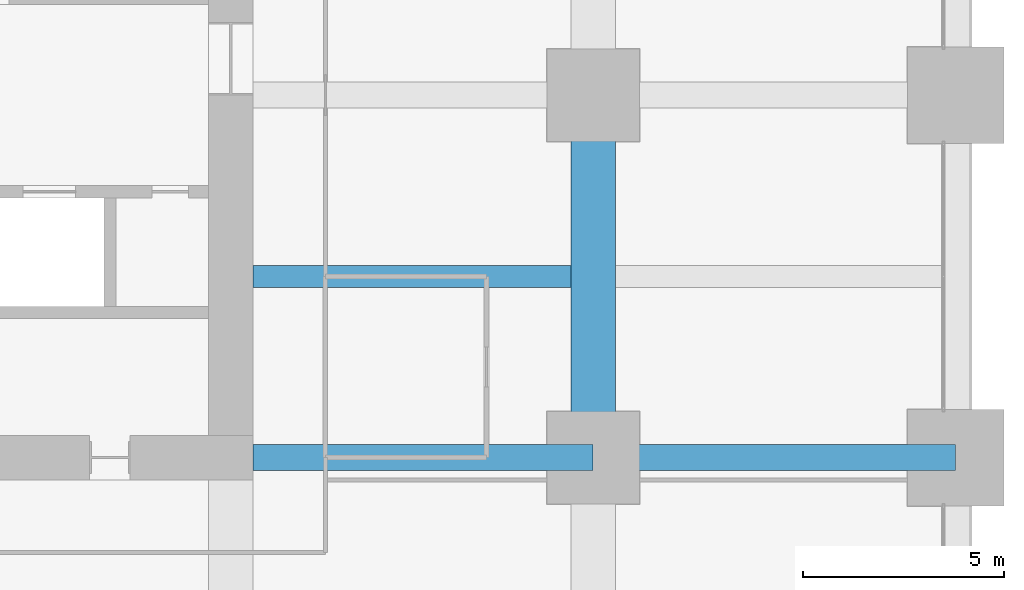
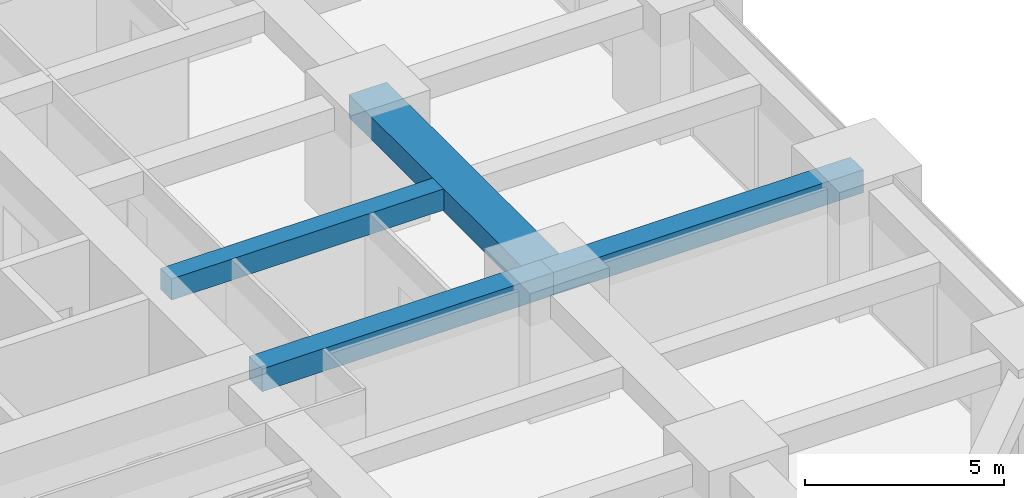
# One storey, part 19 of 45: 4 beams.
"""IFC4 building model written with IfcOpenShell, lengths in metres."""

from ifc_helpers import new_model, si_unit, direction, frame, origin, origin_2d, place, context, subcontext, project, spatial, rectangle, extrude, material, material_profile, profile_set, type_object, element, save


model = new_model("IFC4")

# Units and contexts
model_context = context("Model", 3, precision=1e-05, world=origin(), true_north=direction((0.0, 1.0)))
body_context = subcontext(model_context, "Body", "Model", "MODEL_VIEW")
ifc_project = project(units=[si_unit("LENGTHUNIT", "METRE"), si_unit("AREAUNIT", "SQUARE_METRE"), si_unit("VOLUMEUNIT", "CUBIC_METRE"), si_unit("PLANEANGLEUNIT", "RADIAN"), si_unit("MASSUNIT", "GRAM", prefix="KILO")], contexts=[model_context])

# Site, building, storey
site_placement = place(None, origin())
site = spatial("IfcSite", under=ifc_project, at=site_placement, CompositionType="ELEMENT")
building_placement = place(site_placement, origin())
building = spatial("IfcBuilding", under=site, at=building_placement, Name="Zorevar Civic Tower", CompositionType="ELEMENT")
storey_placement = place(building_placement, frame((0.0, 0.0, 39.800048828125)))
storey = spatial("IfcBuildingStorey", under=building, at=storey_placement, Name="L09", CompositionType="ELEMENT", Elevation=39.800048828125)

# Beams
ifc_material_1 = material(Name="Concrete C50/60", Category="concrete")
ifc_material_profile_1 = material_profile(ifc_material_1, rectangle(XDim=1.10009765625, YDim=0.699951171875, at=origin_2d()), Name="RC 1100x700")
ifc_profile_set_1 = profile_set([ifc_material_profile_1], Name="Concrete C50/60")
beam_type_1 = type_object("IfcBeamType", Name="Beam RC 1100x700", PredefinedType="BEAM", material=ifc_profile_set_1)
beam_1_placement = place(storey_placement, frame((54.0, 18.0, 3.39990234375), z_axis=(0.0, 1.0, 0.0), x_axis=(-1.0, 0.0, 0.0)))
element("IfcBeam", 1, at=beam_1_placement, inside=storey, type_object=beam_type_1, Name="Girder L10", PredefinedType="BEAM", context=body_context, shape_type="SweptSolid", body=[
    extrude(rectangle(XDim=1.10009765625, YDim=0.699951171875, at=origin_2d()), origin(), (0.0, 0.0, 1.0), 9.0),
])
ifc_material_2 = material(Name="Concrete C50/60", Category="concrete")
ifc_material_profile_2 = material_profile(ifc_material_2, rectangle(XDim=0.550048828125, YDim=0.64990234375, at=origin_2d()), Name="RC 550x650")
ifc_profile_set_2 = profile_set([ifc_material_profile_2], Name="Concrete C50/60")
beam_type_2 = type_object("IfcBeamType", Name="Beam RC 550x650", PredefinedType="BEAM", material=ifc_profile_set_2)
beam_2_placement = place(storey_placement, frame((45.550048828125, 22.5, 3.425048828125), z_axis=(1.0, 0.0, 0.0), x_axis=(0.0, 1.0, 0.0)))
element("IfcBeam", 2, at=beam_2_placement, inside=storey, type_object=beam_type_2, Name="Secondary beam L10", PredefinedType="BEAM", context=body_context, shape_type="SweptSolid", body=[
    extrude(rectangle(XDim=0.550048828125, YDim=0.64990234375, at=origin_2d()), origin(), (0.0, 0.0, 1.0), 7.89990234375),
])
ifc_material_3 = material(Name="Concrete C50/60", Category="concrete")
ifc_material_profile_3 = material_profile(ifc_material_3, rectangle(XDim=0.64990234375, YDim=0.699951171875, at=origin_2d()), Name="RC 650x700")
ifc_profile_set_3 = profile_set([ifc_material_profile_3], Name="Concrete C50/60")
beam_type_3 = type_object("IfcBeamType", Name="Beam RC 650x700", PredefinedType="BEAM", material=ifc_profile_set_3)
beam_3_placement = place(storey_placement, frame((45.550048828125, 18.0, 3.39990234375), z_axis=(1.0, 0.0, 0.0), x_axis=(0.0, 1.0, 0.0)))
element("IfcBeam", 3, at=beam_3_placement, inside=storey, type_object=beam_type_3, Name="Girder L10", PredefinedType="BEAM", context=body_context, shape_type="SweptSolid", body=[
    extrude(rectangle(XDim=0.64990234375, YDim=0.699951171875, at=origin_2d()), origin(), (0.0, 0.0, 1.0), 8.449951171875),
])
beam_4_placement = place(storey_placement, frame((54.0, 18.0, 3.39990234375), z_axis=(1.0, 0.0, 0.0), x_axis=(0.0, 1.0, 0.0)))
element("IfcBeam", 4, at=beam_4_placement, inside=storey, type_object=beam_type_3, Name="Girder L10", PredefinedType="BEAM", context=body_context, shape_type="SweptSolid", body=[
    extrude(rectangle(XDim=0.64990234375, YDim=0.699951171875, at=origin_2d()), origin(), (0.0, 0.0, 1.0), 9.0),
])

save(model, "model.ifc")
